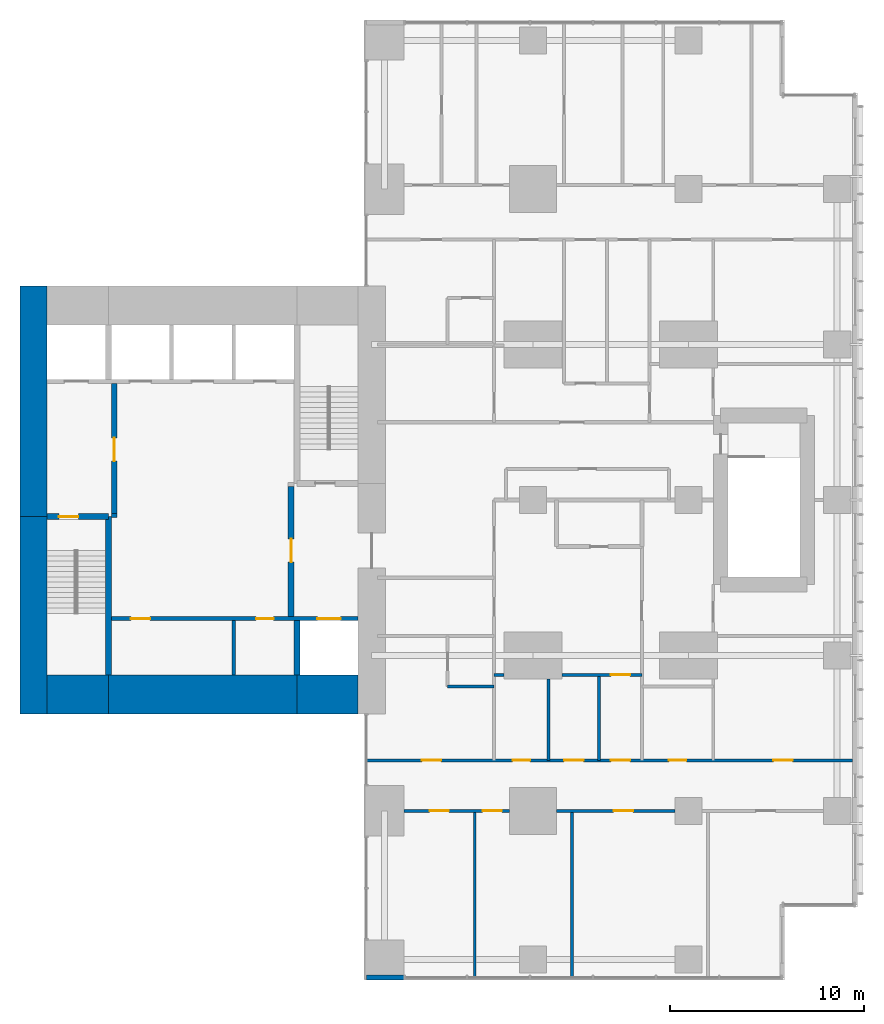
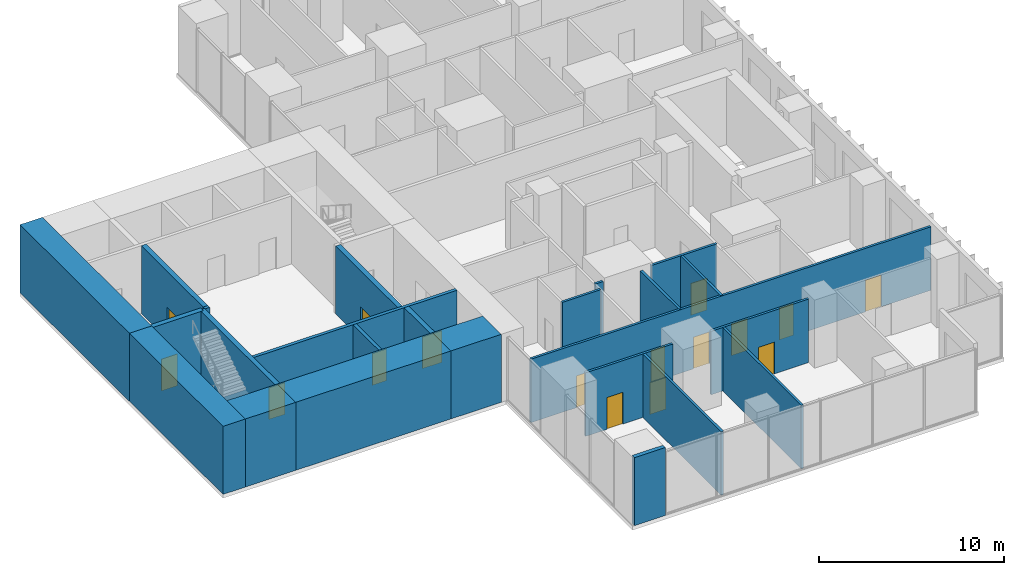
# One storey, part 7 of 11: 24 walls, 16 doors, 16 openings.
"""IFC4 building model written with IfcOpenShell, lengths in metres."""

from ifc_helpers import new_model, si_unit, direction, frame, frame_2d, origin, place, context, subcontext, project, spatial, rectangle, extrude, material, layer, layer_set, type_object, element, fill, save


model = new_model("IFC4")

# Units and contexts
model_context = context("Model", 3, precision=1e-05, world=origin(), true_north=direction((0.0, 1.0)))
body_context = subcontext(model_context, "Body", "Model", "MODEL_VIEW")
ifc_project = project(units=[si_unit("LENGTHUNIT", "METRE"), si_unit("AREAUNIT", "SQUARE_METRE"), si_unit("VOLUMEUNIT", "CUBIC_METRE"), si_unit("PLANEANGLEUNIT", "RADIAN"), si_unit("MASSUNIT", "GRAM", prefix="KILO")], contexts=[model_context])

# Site, building, storey
site_placement = place(None, origin())
site = spatial("IfcSite", under=ifc_project, at=site_placement, CompositionType="ELEMENT")
building_placement = place(site_placement, origin())
building = spatial("IfcBuilding", under=site, at=building_placement, Name="Cleftline Residences", CompositionType="ELEMENT")
storey_placement = place(building_placement, frame((0.0, 0.0, 287.10009765625)))
storey = spatial("IfcBuildingStorey", under=building, at=storey_placement, Name="L75", CompositionType="ELEMENT", Elevation=287.10009765625)

# Walls
ifc_material_1 = material(Name="Concrete B70", Category="concrete")
ifc_layer_1 = layer(ifc_material_1, 1.39990234375)
ifc_layer_set_1 = layer_set([ifc_layer_1], Name="CORE WALL 1400")
wall_type_1 = type_object("IfcWallType", Name="CORE WALL 1400", PredefinedType="SHEAR", material=ifc_layer_set_1)
wall_1_placement = place(storey_placement, frame((24.300048828125, 13.0, 0.0), z_axis=(0.0, 0.0, 1.0), x_axis=(0.0, 1.0, 0.0)))
element("IfcWall", 1, at=wall_1_placement, inside=storey, type_object=wall_type_1, Name="Core wall W0", PredefinedType="SHEAR", context=body_context, shape_type="SweptSolid", body=[
    extrude(rectangle(XDim=10.14990234375, YDim=1.39990234375, at=frame_2d((5.074951171875, 0.0))), origin(), (0.0, 0.0, 1.0), 4.5),
])
wall_2_placement = place(storey_placement, frame((24.300048828125, 23.14990234375, 0.0), z_axis=(0.0, 0.0, 1.0), x_axis=(0.0, 1.0, 0.0)))
element("IfcWall", 2, at=wall_2_placement, inside=storey, type_object=wall_type_1, Name="Core wall W", PredefinedType="SHEAR", context=body_context, shape_type="SweptSolid", body=[
    extrude(rectangle(XDim=11.85009765625, YDim=1.39990234375, at=frame_2d((5.925048828125, 0.0))), origin(), (0.0, 0.0, 1.0), 4.5),
])
ifc_material_2 = material(Name="Concrete B70", Category="concrete")
ifc_layer_2 = layer(ifc_material_2, 2.0)
ifc_layer_set_2 = layer_set([ifc_layer_2], Name="CORE WALL 2000")
wall_type_2 = type_object("IfcWallType", Name="CORE WALL 2000", PredefinedType="SHEAR", material=ifc_layer_set_2)
wall_3_placement = place(storey_placement, frame((25.0, 14.0, 0.0), z_axis=(0.0, 0.0, 1.0), x_axis=(1.0, 0.0, 0.0)))
element("IfcWall", 3, at=wall_3_placement, inside=storey, type_object=wall_type_2, Name="Core wall S1", PredefinedType="SHEAR", context=body_context, shape_type="SweptSolid", body=[
    extrude(rectangle(XDim=3.14990234375, YDim=2.0, at=frame_2d((1.574951171875, 0.0))), origin(), (0.0, 0.0, 1.0), 4.5),
])
wall_4_placement = place(storey_placement, frame((28.14990234375, 14.0, 0.0), z_axis=(0.0, 0.0, 1.0), x_axis=(1.0, 0.0, 0.0)))
element("IfcWall", 4, at=wall_4_placement, inside=storey, type_object=wall_type_2, Name="Core wall S2", PredefinedType="SHEAR", context=body_context, shape_type="SweptSolid", body=[
    extrude(rectangle(XDim=9.7001953125, YDim=2.0, at=frame_2d((4.85009765625, 0.0))), origin(), (0.0, 0.0, 1.0), 4.5),
])
wall_5_placement = place(storey_placement, frame((37.85009765625, 14.0, 0.0), z_axis=(0.0, 0.0, 1.0), x_axis=(1.0, 0.0, 0.0)))
element("IfcWall", 5, at=wall_5_placement, inside=storey, type_object=wall_type_2, Name="Core wall S3", PredefinedType="SHEAR", context=body_context, shape_type="SweptSolid", body=[
    extrude(rectangle(XDim=3.14990234375, YDim=2.0, at=frame_2d((1.574951171875, 0.0))), origin(), (0.0, 0.0, 1.0), 4.5),
])
ifc_material_3 = material(Name="Concrete B70", Category="concrete")
ifc_layer_3 = layer(ifc_material_3, 0.300048828125)
ifc_layer_set_3 = layer_set([ifc_layer_3], Name="CORE WALL 300")
wall_type_3 = type_object("IfcWallType", Name="CORE WALL 300", PredefinedType="SHEAR", material=ifc_layer_set_3)
wall_6_placement = place(storey_placement, frame((28.14990234375, 15.0, 0.0), z_axis=(0.0, 0.0, 1.0), x_axis=(0.0, 1.0, 0.0)))
element("IfcWall", 6, at=wall_6_placement, inside=storey, type_object=wall_type_3, Name="Core wall SA-E", PredefinedType="SHEAR", context=body_context, shape_type="SweptSolid", body=[
    extrude(rectangle(XDim=8.14990234375, YDim=0.300048828125, at=frame_2d((4.074951171875, 0.0))), origin(), (0.0, 0.0, 1.0), 4.5),
])

# Wall, opening, door
wall_7_placement = place(storey_placement, frame((25.0, 23.14990234375, 0.0), z_axis=(0.0, 0.0, 1.0), x_axis=(1.0, 0.0, 0.0)))
wall_7 = element("IfcWall", 7, at=wall_7_placement, inside=storey, type_object=wall_type_3, Name="Core wall SA-N", PredefinedType="SHEAR", context=body_context, shape_type="SweptSolid", body=[
    extrude(rectangle(XDim=3.14990234375, YDim=0.300048828125, at=frame_2d((1.574951171875, 0.0))), origin(), (0.0, 0.0, 1.0), 4.5),
])
opening_1_placement = place(wall_7_placement, frame((0.60009765625, 0.0, 0.0)))
opening_1 = element("IfcOpeningElement", 8, at=opening_1_placement, cuts=wall_7, Name="Opening D5", PredefinedType="OPENING", context=body_context, shape_type="SweptSolid", body=[
    extrude(rectangle(XDim=1.0, YDim=2.10009765625, at=frame_2d((0.5, 1.050048828125))), frame((0.0, 0.159912109375, 0.0), z_axis=(0.0, -1.0, 0.0), x_axis=(1.0, 0.0, 0.0)), (0.0, 0.0, 1.0), 0.320068359375),
])
ifc_material_4 = material(Name="Steel", Category="steel")
door_type_1 = type_object("IfcDoorType", Name="STAIR DOOR 1000X2100", OperationType="SINGLE_SWING_LEFT", PredefinedType="DOOR", material=ifc_material_4)
door_1_placement = place(opening_1_placement, origin())
door_1 = element("IfcDoor", 9, at=door_1_placement, inside=storey, type_object=door_type_1, Name="Stair A door", OperationType="SINGLE_SWING_RIGHT", OverallHeight=2.10009765625, OverallWidth=1.0, PredefinedType="DOOR", context=body_context, shape_type="SweptSolid", body=[
    extrude(rectangle(XDim=1.0, YDim=2.10009765625, at=frame_2d((0.5, 1.050048828125))), frame((0.0, 0.02490234375, 0.0), z_axis=(0.0, -1.0, 0.0), x_axis=(1.0, 0.0, 0.0)), (0.0, 0.0, 1.0), 0.050048828125),
])
fill(opening_1, door_1)

# Walls
wall_8_placement = place(storey_placement, frame((37.85009765625, 15.0, 0.0), z_axis=(0.0, 0.0, 1.0), x_axis=(0.0, 1.0, 0.0)))
element("IfcWall", 10, at=wall_8_placement, inside=storey, type_object=wall_type_3, Name="Lift shaft wall", PredefinedType="SHEAR", context=body_context, shape_type="SweptSolid", body=[
    extrude(rectangle(XDim=2.800048828125, YDim=0.300048828125, at=frame_2d((1.39990234375, 0.0))), origin(), (0.0, 0.0, 1.0), 4.5),
])
ifc_material_5 = material(Name="Rendered reinforced concrete blockwork", Category="masonry")
ifc_layer_4 = layer(ifc_material_5, 0.25)
ifc_layer_set_4 = layer_set([ifc_layer_4], Name="EXTERNAL WALL 250")
wall_type_4 = type_object("IfcWallType", Name="EXTERNAL WALL 250", PredefinedType="SOLIDWALL", material=ifc_layer_set_4)
wall_9_placement = place(storey_placement, frame((41.425048828125, -0.574951171875, 0.0), z_axis=(0.0, 0.0, 1.0), x_axis=(1.0, 0.0, 0.0)))
element("IfcWall", 11, at=wall_9_placement, inside=storey, type_object=wall_type_4, Name="External wall", PredefinedType="SOLIDWALL", context=body_context, shape_type="SweptSolid", body=[
    extrude(rectangle(XDim=1.925048828125, YDim=0.25, at=frame_2d((0.96240234375, 0.0))), origin(), (0.0, 0.0, 1.0), 4.5),
])
ifc_material_6 = material(Name="Concrete blockwork, fire rated", Category="masonry")
ifc_layer_5 = layer(ifc_material_6, 0.199951171875)
ifc_layer_set_5 = layer_set([ifc_layer_5], Name="FIRE WALL 200")
wall_type_5 = type_object("IfcWallType", Name="FIRE WALL 200", PredefinedType="PARTITIONING", material=ifc_layer_set_5)
wall_10_placement = place(storey_placement, frame((28.300048828125, 23.199951171875, 0.0), z_axis=(0.0, 0.0, 1.0), x_axis=(1.0, 0.0, 0.0)))
element("IfcWall", 12, at=wall_10_placement, inside=storey, type_object=wall_type_5, Name="Fire separating wall", PredefinedType="PARTITIONING", context=body_context, shape_type="SweptSolid", body=[
    extrude(rectangle(XDim=0.300048828125, YDim=0.199951171875, at=frame_2d((0.14990234375, 0.0))), origin(), (0.0, 0.0, 1.0), 4.5),
])

# Wall, openings, doors
ifc_material_7 = material(Name="Gypsum board on steel studs", Category="steel")
ifc_layer_6 = layer(ifc_material_7, 0.14990234375)
ifc_layer_set_6 = layer_set([ifc_layer_6], Name="PARTITION 150")
wall_type_6 = type_object("IfcWallType", Name="PARTITION 150", PredefinedType="PARTITIONING", material=ifc_layer_set_6)
wall_11_placement = place(storey_placement, frame((43.35009765625, 8.0, 0.0), z_axis=(0.0, 0.0, 1.0), x_axis=(1.0, 0.0, 0.0)))
wall_11 = element("IfcWall", 13, at=wall_11_placement, inside=storey, type_object=wall_type_6, Name="Partition", PredefinedType="PARTITIONING", context=body_context, shape_type="SweptSolid", body=[
    extrude(rectangle(XDim=5.449951171875, YDim=0.14990234375, at=frame_2d((2.72509765625, 0.0))), origin(), (0.0, 0.0, 1.0), 4.199951171875),
])
opening_2_placement = place(wall_11_placement, frame((4.050048828125, 0.0, 0.0)))
opening_2 = element("IfcOpeningElement", 14, at=opening_2_placement, cuts=wall_11, Name="Opening D2", PredefinedType="OPENING", context=body_context, shape_type="SweptSolid", body=[
    extrude(rectangle(XDim=1.0, YDim=2.10009765625, at=frame_2d((0.5, 1.050048828125))), frame((0.0, 0.0849609375, 0.0), z_axis=(0.0, -1.0, 0.0), x_axis=(1.0, 0.0, 0.0)), (0.0, 0.0, 1.0), 0.169921875),
])
opening_3_placement = place(wall_11_placement, frame((1.324951171875, 0.0, 0.0)))
opening_3 = element("IfcOpeningElement", 15, at=opening_3_placement, cuts=wall_11, Name="Opening D2", PredefinedType="OPENING", context=body_context, shape_type="SweptSolid", body=[
    extrude(rectangle(XDim=1.0, YDim=2.10009765625, at=frame_2d((0.5, 1.050048828125))), frame((0.0, 0.0849609375, 0.0), z_axis=(0.0, -1.0, 0.0), x_axis=(1.0, 0.0, 0.0)), (0.0, 0.0, 1.0), 0.169921875),
])
ifc_material_8 = material(Name="Timber veneer on solid core", Category="wood")
door_type_2 = type_object("IfcDoorType", Name="DOOR 1000X2100", OperationType="SINGLE_SWING_LEFT", PredefinedType="DOOR", material=ifc_material_8)
door_2_placement = place(opening_2_placement, origin())
door_2 = element("IfcDoor", 16, at=door_2_placement, inside=storey, type_object=door_type_2, Name="Door to show kitchen", OperationType="SINGLE_SWING_LEFT", OverallHeight=2.10009765625, OverallWidth=1.0, PredefinedType="DOOR", context=body_context, shape_type="SweptSolid", body=[
    extrude(rectangle(XDim=1.0, YDim=2.10009765625, at=frame_2d((0.5, 1.050048828125))), frame((0.0, 0.02490234375, 0.0), z_axis=(0.0, -1.0, 0.0), x_axis=(1.0, 0.0, 0.0)), (0.0, 0.0, 1.0), 0.050048828125),
])
fill(opening_2, door_2)
door_3_placement = place(opening_3_placement, origin())
door_3 = element("IfcDoor", 17, at=door_3_placement, inside=storey, type_object=door_type_2, Name="Door to cigar lounge", OperationType="SINGLE_SWING_RIGHT", OverallHeight=2.10009765625, OverallWidth=1.0, PredefinedType="DOOR", context=body_context, shape_type="SweptSolid", body=[
    extrude(rectangle(XDim=1.0, YDim=2.10009765625, at=frame_2d((0.5, 1.050048828125))), frame((0.0, 0.02490234375, 0.0), z_axis=(0.0, -1.0, 0.0), x_axis=(1.0, 0.0, 0.0)), (0.0, 0.0, 1.0), 0.050048828125),
])
fill(opening_3, door_3)

# Wall, opening, door
wall_12_placement = place(storey_placement, frame((51.199951171875, 8.0, 0.0), z_axis=(0.0, 0.0, 1.0), x_axis=(1.0, 0.0, 0.0)))
wall_12 = element("IfcWall", 18, at=wall_12_placement, inside=storey, type_object=wall_type_6, Name="Partition", PredefinedType="PARTITIONING", context=body_context, shape_type="SweptSolid", body=[
    extrude(rectangle(XDim=6.10009765625, YDim=0.14990234375, at=frame_2d((3.050048828125, 0.0))), origin(), (0.0, 0.0, 1.0), 4.199951171875),
])
opening_4_placement = place(wall_12_placement, frame((2.949951171875, 0.0, 0.0)))
opening_4 = element("IfcOpeningElement", 19, at=opening_4_placement, cuts=wall_12, Name="Opening D2", PredefinedType="OPENING", context=body_context, shape_type="SweptSolid", body=[
    extrude(rectangle(XDim=1.0, YDim=2.10009765625, at=frame_2d((0.5, 1.050048828125))), frame((0.0, 0.0849609375, 0.0), z_axis=(0.0, -1.0, 0.0), x_axis=(1.0, 0.0, 0.0)), (0.0, 0.0, 1.0), 0.169921875),
])
door_4_placement = place(opening_4_placement, origin())
door_4 = element("IfcDoor", 20, at=door_4_placement, inside=storey, type_object=door_type_2, Name="Door to sky dining room", OperationType="SINGLE_SWING_LEFT", OverallHeight=2.10009765625, OverallWidth=1.0, PredefinedType="DOOR", context=body_context, shape_type="SweptSolid", body=[
    extrude(rectangle(XDim=1.0, YDim=2.10009765625, at=frame_2d((0.5, 1.050048828125))), frame((0.0, 0.02490234375, 0.0), z_axis=(0.0, -1.0, 0.0), x_axis=(1.0, 0.0, 0.0)), (0.0, 0.0, 1.0), 0.050048828125),
])
fill(opening_4, door_4)

# Wall, openings, doors
wall_13_placement = place(storey_placement, frame((41.43896484375, 10.60009765625, 0.0), z_axis=(0.0, 0.0, 1.0), x_axis=(1.0, 0.0, 0.0)))
wall_13 = element("IfcWall", 21, at=wall_13_placement, inside=storey, type_object=wall_type_6, Name="Partition", PredefinedType="PARTITIONING", context=body_context, shape_type="SweptSolid", body=[
    extrude(rectangle(XDim=25.010986328125, YDim=0.14990234375, at=frame_2d((12.50537109375, 0.0))), origin(), (0.0, 0.0, 1.0), 4.199951171875),
])
opening_5_placement = place(wall_13_placement, frame((12.56103515625, 0.0, 0.0)))
opening_5 = element("IfcOpeningElement", 22, at=opening_5_placement, cuts=wall_13, Name="Opening D2", PredefinedType="OPENING", context=body_context, shape_type="SweptSolid", body=[
    extrude(rectangle(XDim=1.0, YDim=2.10009765625, at=frame_2d((0.5, 1.050048828125))), frame((0.0, 0.0849609375, 0.0), z_axis=(0.0, -1.0, 0.0), x_axis=(1.0, 0.0, 0.0)), (0.0, 0.0, 1.0), 0.169921875),
])
opening_6_placement = place(wall_13_placement, frame((20.923583984375, 0.0, 0.0)))
opening_6 = element("IfcOpeningElement", 23, at=opening_6_placement, cuts=wall_13, Name="Opening D2", PredefinedType="OPENING", context=body_context, shape_type="SweptSolid", body=[
    extrude(rectangle(XDim=1.0, YDim=2.10009765625, at=frame_2d((0.5, 1.050048828125))), frame((0.0, 0.0849609375, 0.0), z_axis=(0.0, -1.0, 0.0), x_axis=(1.0, 0.0, 0.0)), (0.0, 0.0, 1.0), 0.169921875),
])
opening_7_placement = place(wall_13_placement, frame((15.548583984375, 0.0, 0.0)))
opening_7 = element("IfcOpeningElement", 24, at=opening_7_placement, cuts=wall_13, Name="Opening D1", PredefinedType="OPENING", context=body_context, shape_type="SweptSolid", body=[
    extrude(rectangle(XDim=0.89990234375, YDim=2.10009765625, at=frame_2d((0.449951171875, 1.050048828125))), frame((0.0, 0.0849609375, 0.0), z_axis=(0.0, -1.0, 0.0), x_axis=(1.0, 0.0, 0.0)), (0.0, 0.0, 1.0), 0.169921875),
])
opening_8_placement = place(wall_13_placement, frame((10.160888671875, 0.0, 0.0)))
opening_8 = element("IfcOpeningElement", 25, at=opening_8_placement, cuts=wall_13, Name="Opening D2", PredefinedType="OPENING", context=body_context, shape_type="SweptSolid", body=[
    extrude(rectangle(XDim=1.0, YDim=2.10009765625, at=frame_2d((0.5, 1.050048828125))), frame((0.0, 0.0849609375, 0.0), z_axis=(0.0, -1.0, 0.0), x_axis=(1.0, 0.0, 0.0)), (0.0, 0.0, 1.0), 0.169921875),
])
opening_9_placement = place(wall_13_placement, frame((7.510986328125, 0.0, 0.0)))
opening_9 = element("IfcOpeningElement", 26, at=opening_9_placement, cuts=wall_13, Name="Opening D1", PredefinedType="OPENING", context=body_context, shape_type="SweptSolid", body=[
    extrude(rectangle(XDim=0.89990234375, YDim=2.10009765625, at=frame_2d((0.449951171875, 1.050048828125))), frame((0.0, 0.0849609375, 0.0), z_axis=(0.0, -1.0, 0.0), x_axis=(1.0, 0.0, 0.0)), (0.0, 0.0, 1.0), 0.169921875),
])
opening_10_placement = place(wall_13_placement, frame((2.8359375, 0.0, 0.0)))
opening_10 = element("IfcOpeningElement", 27, at=opening_10_placement, cuts=wall_13, Name="Opening D2", PredefinedType="OPENING", context=body_context, shape_type="SweptSolid", body=[
    extrude(rectangle(XDim=1.0, YDim=2.10009765625, at=frame_2d((0.5, 1.050048828125))), frame((0.0, 0.0849609375, 0.0), z_axis=(0.0, -1.0, 0.0), x_axis=(1.0, 0.0, 0.0)), (0.0, 0.0, 1.0), 0.169921875),
])
door_5_placement = place(opening_5_placement, origin())
door_5 = element("IfcDoor", 28, at=door_5_placement, inside=storey, type_object=door_type_2, Name="Door to residence hall", OperationType="SINGLE_SWING_LEFT", OverallHeight=2.10009765625, OverallWidth=1.0, PredefinedType="DOOR", context=body_context, shape_type="SweptSolid", body=[
    extrude(rectangle(XDim=1.0, YDim=2.10009765625, at=frame_2d((0.5, 1.050048828125))), frame((0.0, 0.02490234375, 0.0), z_axis=(0.0, -1.0, 0.0), x_axis=(1.0, 0.0, 0.0)), (0.0, 0.0, 1.0), 0.050048828125),
])
fill(opening_5, door_5)
door_6_placement = place(opening_6_placement, origin())
door_6 = element("IfcDoor", 29, at=door_6_placement, inside=storey, type_object=door_type_2, Name="Door to sea-view sky lounge", OperationType="SINGLE_SWING_LEFT", OverallHeight=2.10009765625, OverallWidth=1.0, PredefinedType="DOOR", context=body_context, shape_type="SweptSolid", body=[
    extrude(rectangle(XDim=1.0, YDim=2.10009765625, at=frame_2d((0.5, 1.050048828125))), frame((0.0, 0.02490234375, 0.0), z_axis=(0.0, -1.0, 0.0), x_axis=(1.0, 0.0, 0.0)), (0.0, 0.0, 1.0), 0.050048828125),
])
fill(opening_6, door_6)
door_7_placement = place(opening_8_placement, origin())
door_7 = element("IfcDoor", 30, at=door_7_placement, inside=storey, type_object=door_type_2, Name="Door to wet kitchen", OperationType="SINGLE_SWING_RIGHT", OverallHeight=2.10009765625, OverallWidth=1.0, PredefinedType="DOOR", context=body_context, shape_type="SweptSolid", body=[
    extrude(rectangle(XDim=1.0, YDim=2.10009765625, at=frame_2d((0.5, 1.050048828125))), frame((0.0, 0.02490234375, 0.0), z_axis=(0.0, -1.0, 0.0), x_axis=(1.0, 0.0, 0.0)), (0.0, 0.0, 1.0), 0.050048828125),
])
fill(opening_8, door_7)
door_8_placement = place(opening_10_placement, origin())
door_8 = element("IfcDoor", 31, at=door_8_placement, inside=storey, type_object=door_type_2, Name="Door to staff bedroom", OperationType="SINGLE_SWING_RIGHT", OverallHeight=2.10009765625, OverallWidth=1.0, PredefinedType="DOOR", context=body_context, shape_type="SweptSolid", body=[
    extrude(rectangle(XDim=1.0, YDim=2.10009765625, at=frame_2d((0.5, 1.050048828125))), frame((0.0, 0.02490234375, 0.0), z_axis=(0.0, -1.0, 0.0), x_axis=(1.0, 0.0, 0.0)), (0.0, 0.0, 1.0), 0.050048828125),
])
fill(opening_10, door_8)
ifc_material_9 = material(Name="Timber veneer on solid core", Category="wood")
door_type_3 = type_object("IfcDoorType", Name="DOOR 900X2100", OperationType="SINGLE_SWING_LEFT", PredefinedType="DOOR", material=ifc_material_9)
door_9_placement = place(opening_7_placement, origin())
door_9 = element("IfcDoor", 32, at=door_9_placement, inside=storey, type_object=door_type_3, Name="Door to wine room", OperationType="SINGLE_SWING_LEFT", OverallHeight=2.10009765625, OverallWidth=0.89990234375, PredefinedType="DOOR", context=body_context, shape_type="SweptSolid", body=[
    extrude(rectangle(XDim=0.89990234375, YDim=2.10009765625, at=frame_2d((0.449951171875, 1.050048828125))), frame((0.0, 0.02490234375, 0.0), z_axis=(0.0, -1.0, 0.0), x_axis=(1.0, 0.0, 0.0)), (0.0, 0.0, 1.0), 0.050048828125),
])
fill(opening_7, door_9)
door_10_placement = place(opening_9_placement, origin())
door_10 = element("IfcDoor", 33, at=door_10_placement, inside=storey, type_object=door_type_3, Name="Door to pantry", OperationType="SINGLE_SWING_RIGHT", OverallHeight=2.10009765625, OverallWidth=0.89990234375, PredefinedType="DOOR", context=body_context, shape_type="SweptSolid", body=[
    extrude(rectangle(XDim=0.89990234375, YDim=2.10009765625, at=frame_2d((0.449951171875, 1.050048828125))), frame((0.0, 0.02490234375, 0.0), z_axis=(0.0, -1.0, 0.0), x_axis=(1.0, 0.0, 0.0)), (0.0, 0.0, 1.0), 0.050048828125),
])
fill(opening_9, door_10)

# Walls
wall_14_placement = place(storey_placement, frame((45.60009765625, 14.39990234375, 0.0), z_axis=(0.0, 0.0, 1.0), x_axis=(1.0, 0.0, 0.0)))
element("IfcWall", 34, at=wall_14_placement, inside=storey, type_object=wall_type_6, Name="Partition", PredefinedType="PARTITIONING", context=body_context, shape_type="SweptSolid", body=[
    extrude(rectangle(XDim=2.39990234375, YDim=0.14990234375, at=frame_2d((1.199951171875, 0.0))), origin(), (0.0, 0.0, 1.0), 4.199951171875),
])
wall_15_placement = place(storey_placement, frame((48.0, 15.0, 0.0), z_axis=(0.0, 0.0, 1.0), x_axis=(1.0, 0.0, 0.0)))
element("IfcWall", 35, at=wall_15_placement, inside=storey, type_object=wall_type_6, Name="Partition", PredefinedType="PARTITIONING", context=body_context, shape_type="SweptSolid", body=[
    extrude(rectangle(XDim=0.5, YDim=0.14990234375, at=frame_2d((0.25, 0.0))), origin(), (0.0, 0.0, 1.0), 4.199951171875),
])

# Wall, opening, door
wall_16_placement = place(storey_placement, frame((51.5, 15.0, 0.0), z_axis=(0.0, 0.0, 1.0), x_axis=(1.0, 0.0, 0.0)))
wall_16 = element("IfcWall", 36, at=wall_16_placement, inside=storey, type_object=wall_type_6, Name="Partition", PredefinedType="PARTITIONING", context=body_context, shape_type="SweptSolid", body=[
    extrude(rectangle(XDim=4.10009765625, YDim=0.14990234375, at=frame_2d((2.050048828125, 0.0))), origin(), (0.0, 0.0, 1.0), 4.199951171875),
])
opening_11_placement = place(wall_16_placement, frame((2.5, 0.0, 0.0)))
opening_11 = element("IfcOpeningElement", 37, at=opening_11_placement, cuts=wall_16, Name="Opening D2", PredefinedType="OPENING", context=body_context, shape_type="SweptSolid", body=[
    extrude(rectangle(XDim=1.0, YDim=2.10009765625, at=frame_2d((0.5, 1.050048828125))), frame((0.0, 0.0849609375, 0.0), z_axis=(0.0, -1.0, 0.0), x_axis=(1.0, 0.0, 0.0)), (0.0, 0.0, 1.0), 0.169921875),
])
door_11_placement = place(opening_11_placement, origin())
door_11 = element("IfcDoor", 38, at=door_11_placement, inside=storey, type_object=door_type_2, Name="Door to residence passage", OperationType="SINGLE_SWING_LEFT", OverallHeight=2.10009765625, OverallWidth=1.0, PredefinedType="DOOR", context=body_context, shape_type="SweptSolid", body=[
    extrude(rectangle(XDim=1.0, YDim=2.10009765625, at=frame_2d((0.5, 1.050048828125))), frame((0.0, 0.02490234375, 0.0), z_axis=(0.0, -1.0, 0.0), x_axis=(1.0, 0.0, 0.0)), (0.0, 0.0, 1.0), 0.050048828125),
])
fill(opening_11, door_11)

# Walls
wall_17_placement = place(storey_placement, frame((47.0, -0.56103515625, 0.0), z_axis=(0.0, 0.0, 1.0), x_axis=(0.0, 1.0, 0.0)))
element("IfcWall", 39, at=wall_17_placement, inside=storey, type_object=wall_type_6, Name="Partition", PredefinedType="PARTITIONING", context=body_context, shape_type="SweptSolid", body=[
    extrude(rectangle(XDim=8.56103515625, YDim=0.14990234375, at=frame_2d((4.280517578125, 0.0))), origin(), (0.0, 0.0, 1.0), 4.199951171875),
])
wall_18_placement = place(storey_placement, frame((50.800048828125, 10.60009765625, 0.0), z_axis=(0.0, 0.0, 1.0), x_axis=(0.0, 1.0, 0.0)))
element("IfcWall", 40, at=wall_18_placement, inside=storey, type_object=wall_type_6, Name="Partition", PredefinedType="PARTITIONING", context=body_context, shape_type="SweptSolid", body=[
    extrude(rectangle(XDim=4.199951171875, YDim=0.14990234375, at=frame_2d((2.10009765625, 0.0))), origin(), (0.0, 0.0, 1.0), 4.199951171875),
])
wall_19_placement = place(storey_placement, frame((52.0, -0.56103515625, 0.0), z_axis=(0.0, 0.0, 1.0), x_axis=(0.0, 1.0, 0.0)))
element("IfcWall", 41, at=wall_19_placement, inside=storey, type_object=wall_type_6, Name="Partition", PredefinedType="PARTITIONING", context=body_context, shape_type="SweptSolid", body=[
    extrude(rectangle(XDim=8.56103515625, YDim=0.14990234375, at=frame_2d((4.280517578125, 0.0))), origin(), (0.0, 0.0, 1.0), 4.199951171875),
])
wall_20_placement = place(storey_placement, frame((53.39990234375, 10.60009765625, 0.0), z_axis=(0.0, 0.0, 1.0), x_axis=(0.0, 1.0, 0.0)))
element("IfcWall", 42, at=wall_20_placement, inside=storey, type_object=wall_type_6, Name="Partition", PredefinedType="PARTITIONING", context=body_context, shape_type="SweptSolid", body=[
    extrude(rectangle(XDim=4.39990234375, YDim=0.14990234375, at=frame_2d((2.199951171875, 0.0))), origin(), (0.0, 0.0, 1.0), 4.199951171875),
])

# Wall, openings, doors
ifc_material_10 = material(Name="Concrete blockwork, fire rated", Category="masonry")
ifc_layer_7 = layer(ifc_material_10, 0.199951171875)
ifc_layer_set_7 = layer_set([ifc_layer_7], Name="SHAFT WALL 200")
wall_type_7 = type_object("IfcWallType", Name="SHAFT WALL 200", PredefinedType="PARTITIONING", material=ifc_layer_set_7)
wall_21_placement = place(storey_placement, frame((28.300048828125, 17.89990234375, 0.0), z_axis=(0.0, 0.0, 1.0), x_axis=(1.0, 0.0, 0.0)))
wall_21 = element("IfcWall", 43, at=wall_21_placement, inside=storey, type_object=wall_type_7, Name="Core room wall", PredefinedType="PARTITIONING", context=body_context, shape_type="SweptSolid", body=[
    extrude(rectangle(XDim=12.699951171875, YDim=0.199951171875, at=frame_2d((6.35009765625, 0.0))), origin(), (0.0, 0.0, 1.0), 4.5),
])
opening_12_placement = place(wall_21_placement, frame((1.0, 0.0, 0.0)))
opening_12 = element("IfcOpeningElement", 44, at=opening_12_placement, cuts=wall_21, Name="Opening D2F60", PredefinedType="OPENING", context=body_context, shape_type="SweptSolid", body=[
    extrude(rectangle(XDim=1.0, YDim=2.10009765625, at=frame_2d((0.5, 1.050048828125))), frame((0.0, 0.10986328125, 0.0), z_axis=(0.0, -1.0, 0.0), x_axis=(1.0, 0.0, 0.0)), (0.0, 0.0, 1.0), 0.219970703125),
])
opening_13_placement = place(wall_21_placement, frame((7.449951171875, 0.0, 0.0)))
opening_13 = element("IfcOpeningElement", 45, at=opening_13_placement, cuts=wall_21, Name="Opening D1F30", PredefinedType="OPENING", context=body_context, shape_type="SweptSolid", body=[
    extrude(rectangle(XDim=0.89990234375, YDim=2.10009765625, at=frame_2d((0.449951171875, 1.050048828125))), frame((0.0, 0.10986328125, 0.0), z_axis=(0.0, -1.0, 0.0), x_axis=(1.0, 0.0, 0.0)), (0.0, 0.0, 1.0), 0.219970703125),
])
opening_14_placement = place(wall_21_placement, frame((10.60009765625, 0.0, 0.0)))
opening_14 = element("IfcOpeningElement", 46, at=opening_14_placement, cuts=wall_21, Name="Opening LD2", PredefinedType="OPENING", context=body_context, shape_type="SweptSolid", body=[
    extrude(rectangle(XDim=1.199951171875, YDim=2.10009765625, at=frame_2d((0.60009765625, 1.050048828125))), frame((0.0, 0.10986328125, 0.0), z_axis=(0.0, -1.0, 0.0), x_axis=(1.0, 0.0, 0.0)), (0.0, 0.0, 1.0), 0.219970703125),
])
ifc_material_11 = material(Name="Timber veneer on solid core", Category="wood")
door_type_4 = type_object("IfcDoorType", Name="DOOR 1000X2100 EI 60", OperationType="SINGLE_SWING_LEFT", PredefinedType="DOOR", material=ifc_material_11)
door_12_placement = place(opening_12_placement, origin())
door_12 = element("IfcDoor", 47, at=door_12_placement, inside=storey, type_object=door_type_4, Name="Door to electrical room", OperationType="SINGLE_SWING_RIGHT", OverallHeight=2.10009765625, OverallWidth=1.0, PredefinedType="DOOR", context=body_context, shape_type="SweptSolid", body=[
    extrude(rectangle(XDim=1.0, YDim=2.10009765625, at=frame_2d((0.5, 1.050048828125))), frame((0.0, 0.02490234375, 0.0), z_axis=(0.0, -1.0, 0.0), x_axis=(1.0, 0.0, 0.0)), (0.0, 0.0, 1.0), 0.050048828125),
])
fill(opening_12, door_12)
ifc_material_12 = material(Name="Timber veneer on solid core", Category="wood")
door_type_5 = type_object("IfcDoorType", Name="DOOR 900X2100 EI 30", OperationType="SINGLE_SWING_LEFT", PredefinedType="DOOR", material=ifc_material_12)
door_13_placement = place(opening_13_placement, origin())
door_13 = element("IfcDoor", 48, at=door_13_placement, inside=storey, type_object=door_type_5, Name="Door to maintenance store", OperationType="SINGLE_SWING_LEFT", OverallHeight=2.10009765625, OverallWidth=0.89990234375, PredefinedType="DOOR", context=body_context, shape_type="SweptSolid", body=[
    extrude(rectangle(XDim=0.89990234375, YDim=2.10009765625, at=frame_2d((0.449951171875, 1.050048828125))), frame((0.0, 0.02490234375, 0.0), z_axis=(0.0, -1.0, 0.0), x_axis=(1.0, 0.0, 0.0)), (0.0, 0.0, 1.0), 0.050048828125),
])
fill(opening_13, door_13)
ifc_material_13 = material(Name="Steel", Category="steel")
door_type_6 = type_object("IfcDoorType", Name="FIREFIGHTING LIFT LANDING DOOR 1200X2100", OperationType="SLIDING_TO_LEFT", PredefinedType="DOOR", material=ifc_material_13)
door_14_placement = place(opening_14_placement, origin())
door_14 = element("IfcDoor", 49, at=door_14_placement, inside=storey, type_object=door_type_6, Name="Lift FL2 landing door", OperationType="SLIDING_TO_LEFT", OverallHeight=2.10009765625, OverallWidth=1.199951171875, PredefinedType="DOOR", context=body_context, shape_type="SweptSolid", body=[
    extrude(rectangle(XDim=1.199951171875, YDim=2.10009765625, at=frame_2d((0.60009765625, 1.050048828125))), frame((0.0, 0.02490234375, 0.0), z_axis=(0.0, -1.0, 0.0), x_axis=(1.0, 0.0, 0.0)), (0.0, 0.0, 1.0), 0.050048828125),
])
fill(opening_14, door_14)

# Wall
wall_22_placement = place(storey_placement, frame((34.60009765625, 15.0, 0.0), z_axis=(0.0, 0.0, 1.0), x_axis=(0.0, 1.0, 0.0)))
element("IfcWall", 50, at=wall_22_placement, inside=storey, type_object=wall_type_7, Name="Core room wall", PredefinedType="PARTITIONING", context=body_context, shape_type="SweptSolid", body=[
    extrude(rectangle(XDim=2.800048828125, YDim=0.199951171875, at=frame_2d((1.39990234375, 0.0))), origin(), (0.0, 0.0, 1.0), 4.5),
])

# Wall, opening, door
ifc_material_14 = material(Name="Concrete blockwork, fire rated", Category="masonry")
ifc_layer_8 = layer(ifc_material_14, 0.300048828125)
ifc_layer_set_8 = layer_set([ifc_layer_8], Name="STAIR LOBBY WALL 300")
wall_type_8 = type_object("IfcWallType", Name="STAIR LOBBY WALL 300", PredefinedType="PARTITIONING", material=ifc_layer_set_8)
wall_23_placement = place(storey_placement, frame((28.449951171875, 23.300048828125, 0.0), z_axis=(0.0, 0.0, 1.0), x_axis=(0.0, 1.0, 0.0)))
wall_23 = element("IfcWall", 51, at=wall_23_placement, inside=storey, type_object=wall_type_8, Name="Stair and lobby wall FA-E", PredefinedType="PARTITIONING", context=body_context, shape_type="SweptSolid", body=[
    extrude(rectangle(XDim=6.699951171875, YDim=0.300048828125, at=frame_2d((3.35009765625, 0.0))), origin(), (0.0, 0.0, 1.0), 4.5),
])
opening_15_placement = place(wall_23_placement, frame((2.699951171875, 0.0, 0.0)))
opening_15 = element("IfcOpeningElement", 52, at=opening_15_placement, cuts=wall_23, Name="Opening D6", PredefinedType="OPENING", context=body_context, shape_type="SweptSolid", body=[
    extrude(rectangle(XDim=1.199951171875, YDim=2.10009765625, at=frame_2d((0.60009765625, 1.050048828125))), frame((0.0, 0.159912109375, 0.0), z_axis=(0.0, -1.0, 0.0), x_axis=(1.0, 0.0, 0.0)), (0.0, 0.0, 1.0), 0.320068359375),
])
ifc_material_15 = material(Name="Steel", Category="steel")
door_type_7 = type_object("IfcDoorType", Name="LOBBY DOOR 1200X2100", OperationType="SINGLE_SWING_RIGHT", PredefinedType="DOOR", material=ifc_material_15)
door_15_placement = place(opening_15_placement, origin())
door_15 = element("IfcDoor", 53, at=door_15_placement, inside=storey, type_object=door_type_7, Name="Firefighting lobby A door", OperationType="SINGLE_SWING_RIGHT", OverallHeight=2.10009765625, OverallWidth=1.199951171875, PredefinedType="DOOR", context=body_context, shape_type="SweptSolid", body=[
    extrude(rectangle(XDim=1.199951171875, YDim=2.10009765625, at=frame_2d((0.60009765625, 1.050048828125))), frame((0.0, 0.02490234375, 0.0), z_axis=(0.0, -1.0, 0.0), x_axis=(1.0, 0.0, 0.0)), (0.0, 0.0, 1.0), 0.050048828125),
])
fill(opening_15, door_15)

wall_24_placement = place(storey_placement, frame((37.550048828125, 18.0, 0.0), z_axis=(0.0, 0.0, 1.0), x_axis=(0.0, 1.0, 0.0)))
wall_24 = element("IfcWall", 54, at=wall_24_placement, inside=storey, type_object=wall_type_8, Name="Stair and lobby wall FB-W", PredefinedType="PARTITIONING", context=body_context, shape_type="SweptSolid", body=[
    extrude(rectangle(XDim=6.699951171875, YDim=0.300048828125, at=frame_2d((3.35009765625, 0.0))), origin(), (0.0, 0.0, 1.0), 4.5),
])
opening_16_placement = place(wall_24_placement, frame((2.800048828125, 0.0, 0.0)))
opening_16 = element("IfcOpeningElement", 55, at=opening_16_placement, cuts=wall_24, Name="Opening D6", PredefinedType="OPENING", context=body_context, shape_type="SweptSolid", body=[
    extrude(rectangle(XDim=1.199951171875, YDim=2.10009765625, at=frame_2d((0.60009765625, 1.050048828125))), frame((0.0, 0.159912109375, 0.0), z_axis=(0.0, -1.0, 0.0), x_axis=(1.0, 0.0, 0.0)), (0.0, 0.0, 1.0), 0.320068359375),
])
door_16_placement = place(opening_16_placement, origin())
door_16 = element("IfcDoor", 56, at=door_16_placement, inside=storey, type_object=door_type_7, Name="Firefighting lobby B door", OperationType="SINGLE_SWING_LEFT", OverallHeight=2.10009765625, OverallWidth=1.199951171875, PredefinedType="DOOR", context=body_context, shape_type="SweptSolid", body=[
    extrude(rectangle(XDim=1.199951171875, YDim=2.10009765625, at=frame_2d((0.60009765625, 1.050048828125))), frame((0.0, 0.02490234375, 0.0), z_axis=(0.0, -1.0, 0.0), x_axis=(1.0, 0.0, 0.0)), (0.0, 0.0, 1.0), 0.050048828125),
])
fill(opening_16, door_16)

save(model, "model.ifc")
